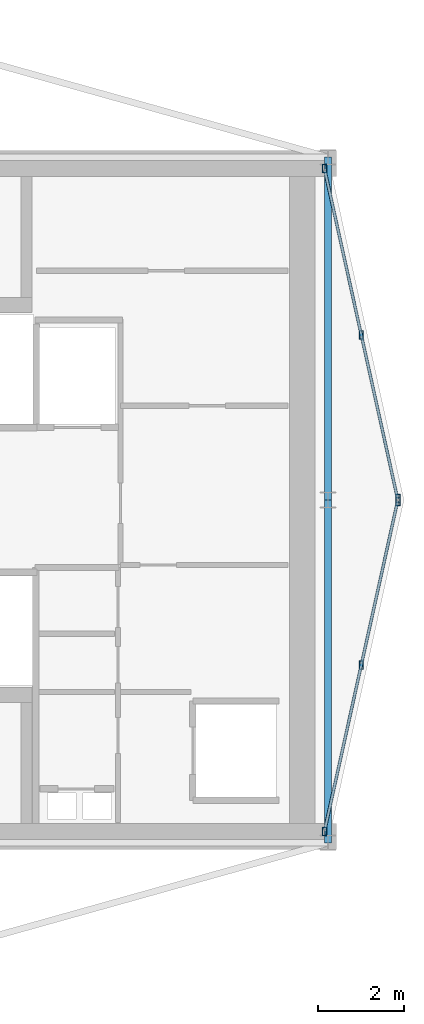
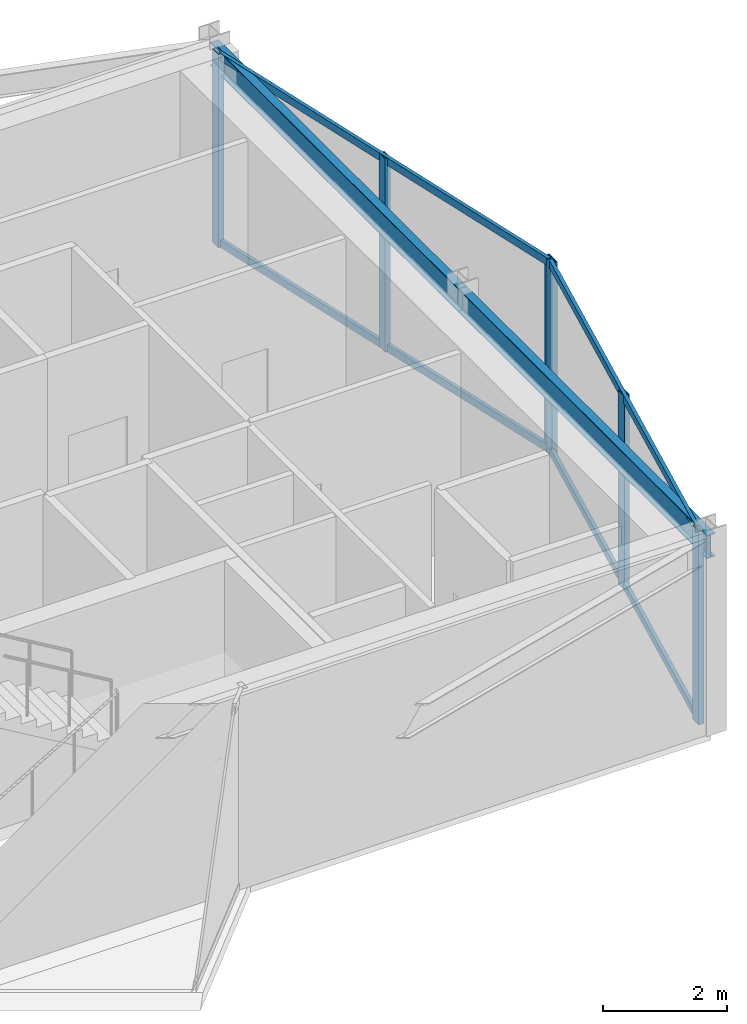
# One storey, part 7 of 14: 10 members, 2 beams, 2 elements without a shape of their own.
"""IFC4 building model written with IfcOpenShell, lengths in metres."""

from ifc_helpers import new_model, si_unit, direction, frame, origin, origin_2d, place, context, subcontext, project, spatial, hollow_rectangle, i_section, extrude, material, layer, layer_set, material_profile, profile_set, type_object, element, aggregate, save


model = new_model("IFC4")

# Units and contexts
model_context = context("Model", 3, precision=1e-05, world=origin(), true_north=direction((0.0, 1.0)))
body_context = subcontext(model_context, "Body", "Model", "MODEL_VIEW")
ifc_project = project(units=[si_unit("LENGTHUNIT", "METRE"), si_unit("AREAUNIT", "SQUARE_METRE"), si_unit("VOLUMEUNIT", "CUBIC_METRE"), si_unit("PLANEANGLEUNIT", "RADIAN"), si_unit("MASSUNIT", "GRAM", prefix="KILO")], contexts=[model_context])

# Site, building, storey
site_placement = place(None, origin())
site = spatial("IfcSite", under=ifc_project, at=site_placement, CompositionType="ELEMENT")
building_placement = place(site_placement, origin())
building = spatial("IfcBuilding", under=site, at=building_placement, Name="Veymaron Broadcast Tower", CompositionType="ELEMENT")
storey_placement = place(building_placement, frame((0.0, 0.0, 295.199951171875)))
storey = spatial("IfcBuildingStorey", under=building, at=storey_placement, Name="L69", CompositionType="ELEMENT", Elevation=295.199951171875)

# Beams
ifc_material_1 = material(Name="Structural steel ASTM A992 Gr 50", Category="steel")
ifc_material_profile_1 = material_profile(ifc_material_1, i_section(OverallWidth=0.154052734375, OverallDepth=0.458984375, WebThickness=0.009033203125, FlangeThickness=0.015380859375, at=origin_2d()), Name="W460X68")
ifc_profile_set_1 = profile_set([ifc_material_profile_1], Name="Structural steel ASTM A992 Gr 50")
beam_type = type_object("IfcBeamType", Name="BM-SP2", PredefinedType="SPANDREL", material=ifc_profile_set_1)
for number, where, z_axis, x_axis, name in (
    (1, (54.60009765625, 16.0, 3.58056640625), (0.0, 1.0, 0.0), (-1.0, 0.0, 0.0), "L69 primary structural floor girder"),
    (2, (54.60009765625, 24.0, 3.58056640625), (0.0, 1.0, 0.0), (-1.0, 0.0, 0.0), "L69 primary structural floor girder"),
):
    element("IfcBeam", number, at=place(storey_placement, frame(where, z_axis=z_axis, x_axis=x_axis)), inside=storey, type_object=beam_type, Name=name, PredefinedType="SPANDREL", context=body_context, shape_type="SweptSolid", body=[
        extrude(i_section(OverallWidth=0.154052734375, OverallDepth=0.458984375, WebThickness=0.009033203125, FlangeThickness=0.015380859375, at=origin_2d()), origin(), (0.0, 0.0, 1.0), 8.0),
    ])

# Curtain wall, members
ifc_material_2 = material(Name="Anodised aluminium AA 6063-T6 and laminated low-E dark glass", Category="aluminium")
ifc_layer = layer(ifc_material_2, 0.179931640625)
ifc_layer_set = layer_set([ifc_layer], Name="Anodised aluminium AA 6063-T6 and laminated low-E dark glass")
curtain_wall_type = type_object("IfcCurtainWallType", Name="CW-SYS-06", PredefinedType="NOTDEFINED", material=ifc_layer_set)
curtain_wall_1_placement = place(storey_placement, origin())
curtain_wall_1 = element("IfcCurtainWall", 3, at=curtain_wall_1_placement, inside=storey, type_object=curtain_wall_type, Name="L69 dark-glass curtain wall CW-L69-E2-1", PredefinedType="NOTDEFINED")
ifc_material_3 = material(Name="Anodised aluminium AA 6063-T6", Category="aluminium")
ifc_material_profile_2 = material_profile(ifc_material_3, hollow_rectangle(XDim=0.10009765625, YDim=0.199951171875, WallThickness=0.010009765625, at=origin_2d()), Name="RHS200X100X10")
ifc_profile_set_2 = profile_set([ifc_material_profile_2], Name="Anodised aluminium AA 6063-T6")
member_type_1 = type_object("IfcMemberType", Name="CW-MUL-01", PredefinedType="MULLION", material=ifc_profile_set_2)
member_1_placement = place(storey_placement, frame((54.514892578125, 16.2626953125, 0.0), z_axis=(0.0, 0.0, 1.0), x_axis=(1.0, 0.0, 0.0)))
member_1 = element("IfcMember", 4, at=member_1_placement, type_object=member_type_1, Name="CW-L69-E2-1 mullion 0", PredefinedType="MULLION", context=body_context, shape_type="SweptSolid", body=[
    extrude(hollow_rectangle(XDim=0.10009765625, YDim=0.199951171875, WallThickness=0.010009765625, at=origin_2d()), origin(), (0.0, 0.0, 1.0), 3.81005859375),
])
member_2_placement = place(storey_placement, frame((55.375244140625, 20.146484375, 0.0), z_axis=(0.0, 0.0, 1.0), x_axis=(1.0, 0.0, 0.0)))
member_2 = element("IfcMember", 5, at=member_2_placement, type_object=member_type_1, Name="CW-L69-E2-1 mullion 1", PredefinedType="MULLION", context=body_context, shape_type="SweptSolid", body=[
    extrude(hollow_rectangle(XDim=0.10009765625, YDim=0.199951171875, WallThickness=0.010009765625, at=origin_2d()), origin(), (0.0, 0.0, 1.0), 3.81005859375),
])
member_3_placement = place(storey_placement, frame((56.235595703125, 24.0302734375, 0.0), z_axis=(0.0, 0.0, 1.0), x_axis=(1.0, 0.0, 0.0)))
member_3 = element("IfcMember", 6, at=member_3_placement, type_object=member_type_1, Name="CW-L69-E2-1 mullion 2", PredefinedType="MULLION", context=body_context, shape_type="SweptSolid", body=[
    extrude(hollow_rectangle(XDim=0.10009765625, YDim=0.199951171875, WallThickness=0.010009765625, at=origin_2d()), origin(), (0.0, 0.0, 1.0), 3.81005859375),
])

curtain_wall_2_placement = place(storey_placement, origin())
curtain_wall_2 = element("IfcCurtainWall", 7, at=curtain_wall_2_placement, inside=storey, type_object=curtain_wall_type, Name="L69 dark-glass curtain wall CW-L69-E3-1", PredefinedType="NOTDEFINED")
member_4_placement = place(storey_placement, frame((56.235595703125, 23.9697265625, 0.0), z_axis=(0.0, 0.0, 1.0), x_axis=(1.0, 0.0, 0.0)))
member_4 = element("IfcMember", 8, at=member_4_placement, type_object=member_type_1, Name="CW-L69-E3-1 mullion 0", PredefinedType="MULLION", context=body_context, shape_type="SweptSolid", body=[
    extrude(hollow_rectangle(XDim=0.10009765625, YDim=0.199951171875, WallThickness=0.010009765625, at=origin_2d()), origin(), (0.0, 0.0, 1.0), 3.81005859375),
])
member_5_placement = place(storey_placement, frame((55.375244140625, 27.853515625, 0.0), z_axis=(0.0, 0.0, 1.0), x_axis=(1.0, 0.0, 0.0)))
member_5 = element("IfcMember", 9, at=member_5_placement, type_object=member_type_1, Name="CW-L69-E3-1 mullion 1", PredefinedType="MULLION", context=body_context, shape_type="SweptSolid", body=[
    extrude(hollow_rectangle(XDim=0.10009765625, YDim=0.199951171875, WallThickness=0.010009765625, at=origin_2d()), origin(), (0.0, 0.0, 1.0), 3.81005859375),
])
member_6_placement = place(storey_placement, frame((54.514892578125, 31.7373046875, 0.0), z_axis=(0.0, 0.0, 1.0), x_axis=(1.0, 0.0, 0.0)))
member_6 = element("IfcMember", 10, at=member_6_placement, type_object=member_type_1, Name="CW-L69-E3-1 mullion 2", PredefinedType="MULLION", context=body_context, shape_type="SweptSolid", body=[
    extrude(hollow_rectangle(XDim=0.10009765625, YDim=0.199951171875, WallThickness=0.010009765625, at=origin_2d()), origin(), (0.0, 0.0, 1.0), 3.81005859375),
])

# Member
ifc_material_profile_3 = material_profile(ifc_material_3, hollow_rectangle(XDim=0.06494140625, YDim=0.14990234375, WallThickness=0.00390625, at=origin_2d()), Name="AL150X65X4")
ifc_profile_set_3 = profile_set([ifc_material_profile_3], Name="Anodised aluminium AA 6063-T6")
member_type_2 = type_object("IfcMemberType", Name="CW-TRN-01", PredefinedType="USERDEFINED", material=ifc_profile_set_3)
member_7_placement = place(storey_placement, frame((54.525634765625, 16.311279296875, 0.070068359375), z_axis=(0.216292064675, 0.976328706307, 0.0), x_axis=(-0.976328706307, 0.216292064675, 0.0)))
member_7 = element("IfcMember", 11, at=member_7_placement, type_object=member_type_2, Name="CW-L69-E2-1 transom B", ObjectType="TRANSOM", PredefinedType="USERDEFINED", context=body_context, shape_type="SweptSolid", body=[
    extrude(hollow_rectangle(XDim=0.06494140625, YDim=0.14990234375, WallThickness=0.00390625, at=origin_2d()), origin(), (0.0, 0.0, 1.0), 7.856201171875),
])

member_8_placement = place(storey_placement, frame((54.525634765625, 16.311279296875, 3.739990234375), z_axis=(0.216292064675, 0.976328706307, 0.0), x_axis=(-0.976328706307, 0.216292064675, 0.0)))
member_8 = element("IfcMember", 12, at=member_8_placement, type_object=member_type_2, Name="CW-L69-E2-1 transom T", ObjectType="TRANSOM", PredefinedType="USERDEFINED", context=body_context, shape_type="SweptSolid", body=[
    extrude(hollow_rectangle(XDim=0.06494140625, YDim=0.14990234375, WallThickness=0.00390625, at=origin_2d()), origin(), (0.0, 0.0, 1.0), 7.856201171875),
])

aggregate(curtain_wall_1, [member_1, member_2, member_3, member_7, member_8])

member_9_placement = place(storey_placement, frame((56.224853515625, 24.0185546875, 0.070068359375), z_axis=(-0.216292064675, 0.976328706307, 0.0), x_axis=(-0.976328706307, -0.216292064675, 0.0)))
member_9 = element("IfcMember", 13, at=member_9_placement, type_object=member_type_2, Name="CW-L69-E3-1 transom B", ObjectType="TRANSOM", PredefinedType="USERDEFINED", context=body_context, shape_type="SweptSolid", body=[
    extrude(hollow_rectangle(XDim=0.06494140625, YDim=0.14990234375, WallThickness=0.00390625, at=origin_2d()), origin(), (0.0, 0.0, 1.0), 7.856201171875),
])

member_10_placement = place(storey_placement, frame((56.224853515625, 24.0185546875, 3.739990234375), z_axis=(-0.216292064675, 0.976328706307, 0.0), x_axis=(-0.976328706307, -0.216292064675, 0.0)))
member_10 = element("IfcMember", 14, at=member_10_placement, type_object=member_type_2, Name="CW-L69-E3-1 transom T", ObjectType="TRANSOM", PredefinedType="USERDEFINED", context=body_context, shape_type="SweptSolid", body=[
    extrude(hollow_rectangle(XDim=0.06494140625, YDim=0.14990234375, WallThickness=0.00390625, at=origin_2d()), origin(), (0.0, 0.0, 1.0), 7.856201171875),
])

aggregate(curtain_wall_2, [member_4, member_5, member_6, member_9, member_10])

save(model, "model.ifc")
